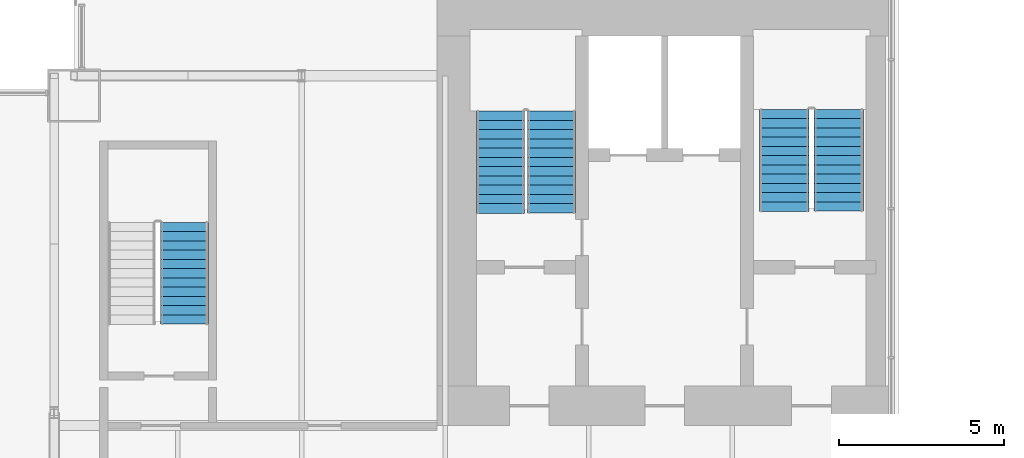
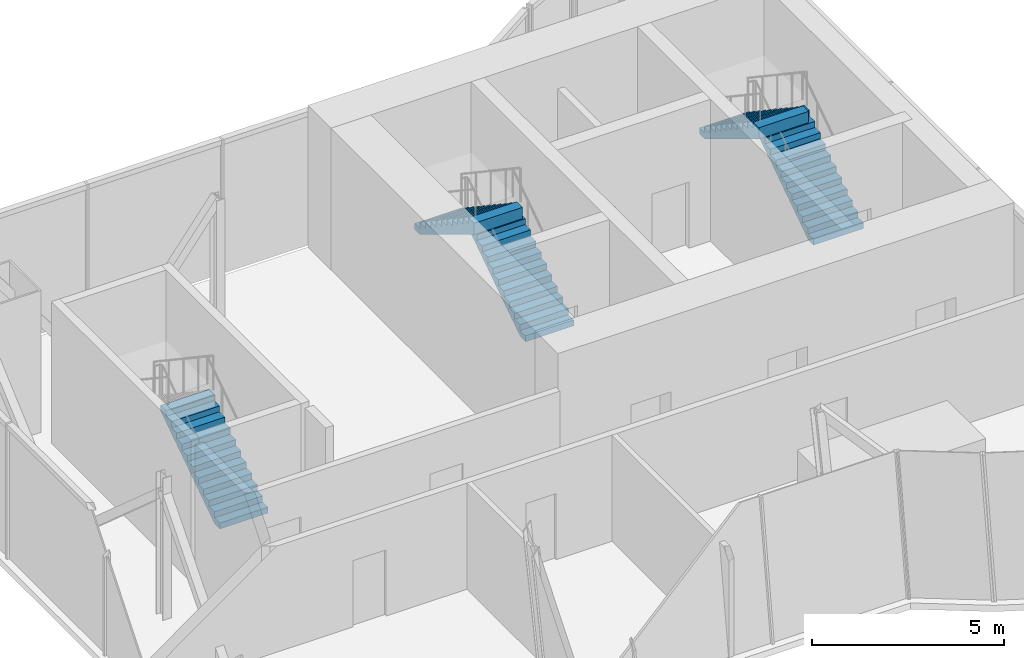
# One storey, part 5 of 7: 5 stair flights, 3 elements without a shape of their own.
"""IFC4 building model written with IfcOpenShell, lengths in metres."""

from ifc_helpers import new_model, si_unit, direction, frame, origin, place, context, subcontext, project, spatial, polyline, outline, extrude, material, type_object, element, aggregate, save


model = new_model("IFC4")

# Units and contexts
model_context = context("Model", 3, precision=1e-05, world=origin(), true_north=direction((0.0, 1.0)))
body_context = subcontext(model_context, "Body", "Model", "MODEL_VIEW")
ifc_project = project(units=[si_unit("LENGTHUNIT", "METRE"), si_unit("AREAUNIT", "SQUARE_METRE"), si_unit("VOLUMEUNIT", "CUBIC_METRE"), si_unit("PLANEANGLEUNIT", "RADIAN"), si_unit("MASSUNIT", "GRAM", prefix="KILO")], contexts=[model_context])

# Site, building, storey
site_placement = place(None, origin())
site = spatial("IfcSite", under=ifc_project, at=site_placement, CompositionType="ELEMENT")
building_placement = place(site_placement, origin())
building = spatial("IfcBuilding", under=site, at=building_placement, Name="Bicima Exchange Tower", CompositionType="ELEMENT")
storey_placement = place(building_placement, frame((0.0, 0.0, 361.39990234375)))
storey = spatial("IfcBuildingStorey", under=building, at=storey_placement, Name="L81", CompositionType="ELEMENT", Elevation=361.39990234375)

# Stair, stair flights
ifc_material = material(Name="Concrete C50/60", Category="concrete")
stair_type_1 = type_object("IfcStairType", Name="Exit stair", PredefinedType="HALF_TURN_STAIR", material=ifc_material)
stair_1_placement = place(storey_placement, origin())
stair_1 = element("IfcStair", 1, at=stair_1_placement, inside=storey, type_object=stair_type_1, Name="L81 West exit stair", PredefinedType="HALF_TURN_STAIR")
stair_flight_type_1 = type_object("IfcStairFlightType", Name="Stair flight RC", PredefinedType="STRAIGHT", material=ifc_material)
stair_flight_1_placement = place(storey_placement, frame((-18.52490234375, -6.550048828125, 0.0), z_axis=(0.0, 0.0, 1.0), x_axis=(0.0, 1.0, 0.0)))
stair_flight_1 = element("IfcStairFlight", 2, at=stair_flight_1_placement, type_object=stair_flight_type_1, Name="ST-W flight 1", NumberOfRisers=12, NumberOfTreads=11, PredefinedType="STRAIGHT", RiserHeight=0.1875, TreadLength=0.28, context=body_context, shape_type="SweptSolid", body=[
    extrude(outline(polyline([(0.0, 0.0), (0.0, 0.1875), (0.280029296875, 0.1875), (0.280029296875, 0.375), (0.56005859375, 0.375), (0.56005859375, 0.5625), (0.840087890625, 0.5625), (0.840087890625, 0.75), (1.1201171875, 0.75), (1.1201171875, 0.9375), (1.39990234375, 0.9375), (1.39990234375, 1.125), (1.679931640625, 1.125), (1.679931640625, 1.3125), (1.9599609375, 1.3125), (1.9599609375, 1.5), (2.239990234375, 1.5), (2.239990234375, 1.6875), (2.52001953125, 1.6875), (2.52001953125, 1.875), (2.800048828125, 1.875), (2.800048828125, 2.0625), (3.080078125, 2.0625), (3.080078125, 2.25), (3.080078125, 1.882080078125), (0.26953125, 0.0), (0.0, 0.0)])), frame((0.0, 0.72509765625, 0.0), z_axis=(0.0, -1.0, 0.0), x_axis=(1.0, 0.0, 0.0)), (0.0, 0.0, 1.0), 1.449951171875),
])
stair_flight_2_placement = place(storey_placement, frame((-20.074951171875, -3.469970703125, 2.25), z_axis=(0.0, 0.0, 1.0), x_axis=(0.0, -1.0, 0.0)))
stair_flight_2 = element("IfcStairFlight", 3, at=stair_flight_2_placement, type_object=stair_flight_type_1, Name="ST-W flight 2", NumberOfRisers=12, NumberOfTreads=11, PredefinedType="STRAIGHT", RiserHeight=0.1875, TreadLength=0.28, context=body_context, shape_type="SweptSolid", body=[
    extrude(outline(polyline([(0.0, 0.0), (0.0, 0.1875), (0.280029296875, 0.1875), (0.280029296875, 0.375), (0.56005859375, 0.375), (0.56005859375, 0.5625), (0.840087890625, 0.5625), (0.840087890625, 0.75), (1.1201171875, 0.75), (1.1201171875, 0.9375), (1.39990234375, 0.9375), (1.39990234375, 1.125), (1.679931640625, 1.125), (1.679931640625, 1.3125), (1.9599609375, 1.3125), (1.9599609375, 1.5), (2.239990234375, 1.5), (2.239990234375, 1.6875), (2.52001953125, 1.6875), (2.52001953125, 1.875), (2.800048828125, 1.875), (2.800048828125, 2.0625), (3.080078125, 2.0625), (3.094970703125, 2.0625), (3.094970703125, 1.70458984375), (0.26953125, 0.0), (0.0, 0.0)])), frame((0.0, 0.72509765625, 0.0), z_axis=(0.0, -1.0, 0.0), x_axis=(1.0, 0.0, 0.0)), (0.0, 0.0, 1.0), 1.449951171875),
])
aggregate(stair_1, [stair_flight_1, stair_flight_2])

# Stair, stair flight
stair_2_placement = place(storey_placement, origin())
stair_2 = element("IfcStair", 4, at=stair_2_placement, inside=storey, type_object=stair_type_1, Name="L81 West end exit stair", PredefinedType="HALF_TURN_STAIR")
stair_flight_3_placement = place(storey_placement, frame((-29.64990234375, -9.925048828125, 0.0), z_axis=(0.0, 0.0, 1.0), x_axis=(0.0, 1.0, 0.0)))
stair_flight_3 = element("IfcStairFlight", 5, at=stair_flight_3_placement, type_object=stair_flight_type_1, Name="ST-WW flight 1", NumberOfRisers=12, NumberOfTreads=11, PredefinedType="STRAIGHT", RiserHeight=0.1875, TreadLength=0.28, context=body_context, shape_type="SweptSolid", body=[
    extrude(outline(polyline([(0.0, 0.0), (0.0, 0.1875), (0.280029296875, 0.1875), (0.280029296875, 0.375), (0.56005859375, 0.375), (0.56005859375, 0.5625), (0.840087890625, 0.5625), (0.840087890625, 0.75), (1.1201171875, 0.75), (1.1201171875, 0.9375), (1.39990234375, 0.9375), (1.39990234375, 1.125), (1.679931640625, 1.125), (1.679931640625, 1.3125), (1.9599609375, 1.3125), (1.9599609375, 1.5), (2.239990234375, 1.5), (2.239990234375, 1.6875), (2.52001953125, 1.6875), (2.52001953125, 1.875), (2.800048828125, 1.875), (2.800048828125, 2.0625), (3.080078125, 2.0625), (3.080078125, 2.25), (3.080078125, 1.882080078125), (0.26953125, 0.0), (0.0, 0.0)])), frame((0.0, 0.72509765625, 0.0), z_axis=(0.0, -1.0, 0.0), x_axis=(1.0, 0.0, 0.0)), (0.0, 0.0, 1.0), 1.449951171875),
])
aggregate(stair_2, [stair_flight_3])

# Stair, stair flights
stair_type_2 = type_object("IfcStairType", Name="Exit stair 1500", PredefinedType="HALF_TURN_STAIR", material=ifc_material)
stair_3_placement = place(storey_placement, origin())
stair_3 = element("IfcStair", 6, at=stair_3_placement, inside=storey, type_object=stair_type_2, Name="L81 Crown exit stair", PredefinedType="HALF_TURN_STAIR")
stair_flight_type_2 = type_object("IfcStairFlightType", Name="Stair flight RC 1500", PredefinedType="STRAIGHT", material=ifc_material)
stair_flight_4_placement = place(storey_placement, frame((-9.824951171875, -6.5, 0.0), z_axis=(0.0, 0.0, 1.0), x_axis=(0.0, 1.0, 0.0)))
stair_flight_4 = element("IfcStairFlight", 7, at=stair_flight_4_placement, type_object=stair_flight_type_2, Name="ST-CR flight 1", NumberOfRisers=12, NumberOfTreads=11, PredefinedType="STRAIGHT", RiserHeight=0.1875, TreadLength=0.28, context=body_context, shape_type="SweptSolid", body=[
    extrude(outline(polyline([(0.0, 0.0), (0.0, 0.1875), (0.280029296875, 0.1875), (0.280029296875, 0.375), (0.56005859375, 0.375), (0.56005859375, 0.5625), (0.840087890625, 0.5625), (0.840087890625, 0.75), (1.1201171875, 0.75), (1.1201171875, 0.9375), (1.39990234375, 0.9375), (1.39990234375, 1.125), (1.679931640625, 1.125), (1.679931640625, 1.3125), (1.9599609375, 1.3125), (1.9599609375, 1.5), (2.239990234375, 1.5), (2.239990234375, 1.6875), (2.52001953125, 1.6875), (2.52001953125, 1.875), (2.800048828125, 1.875), (2.800048828125, 2.0625), (3.080078125, 2.0625), (3.080078125, 2.25), (3.080078125, 1.882080078125), (0.26953125, 0.0), (0.0, 0.0)])), frame((0.0, 0.75, 0.0), z_axis=(0.0, -1.0, 0.0), x_axis=(1.0, 0.0, 0.0)), (0.0, 0.0, 1.0), 1.5),
])
stair_flight_5_placement = place(storey_placement, frame((-11.47509765625, -3.419921875, 2.25), z_axis=(0.0, 0.0, 1.0), x_axis=(0.0, -1.0, 0.0)))
stair_flight_5 = element("IfcStairFlight", 8, at=stair_flight_5_placement, type_object=stair_flight_type_2, Name="ST-CR flight 2", NumberOfRisers=12, NumberOfTreads=11, PredefinedType="STRAIGHT", RiserHeight=0.1875, TreadLength=0.28, context=body_context, shape_type="SweptSolid", body=[
    extrude(outline(polyline([(0.0, 0.0), (0.0, 0.1875), (0.280029296875, 0.1875), (0.280029296875, 0.375), (0.56005859375, 0.375), (0.56005859375, 0.5625), (0.840087890625, 0.5625), (0.840087890625, 0.75), (1.1201171875, 0.75), (1.1201171875, 0.9375), (1.39990234375, 0.9375), (1.39990234375, 1.125), (1.679931640625, 1.125), (1.679931640625, 1.3125), (1.9599609375, 1.3125), (1.9599609375, 1.5), (2.239990234375, 1.5), (2.239990234375, 1.6875), (2.52001953125, 1.6875), (2.52001953125, 1.875), (2.800048828125, 1.875), (2.800048828125, 2.0625), (3.080078125, 2.0625), (3.094970703125, 2.0625), (3.094970703125, 1.70458984375), (0.26953125, 0.0), (0.0, 0.0)])), frame((0.0, 0.75, 0.0), z_axis=(0.0, -1.0, 0.0), x_axis=(1.0, 0.0, 0.0)), (0.0, 0.0, 1.0), 1.5),
])
aggregate(stair_3, [stair_flight_4, stair_flight_5])

save(model, "model.ifc")
